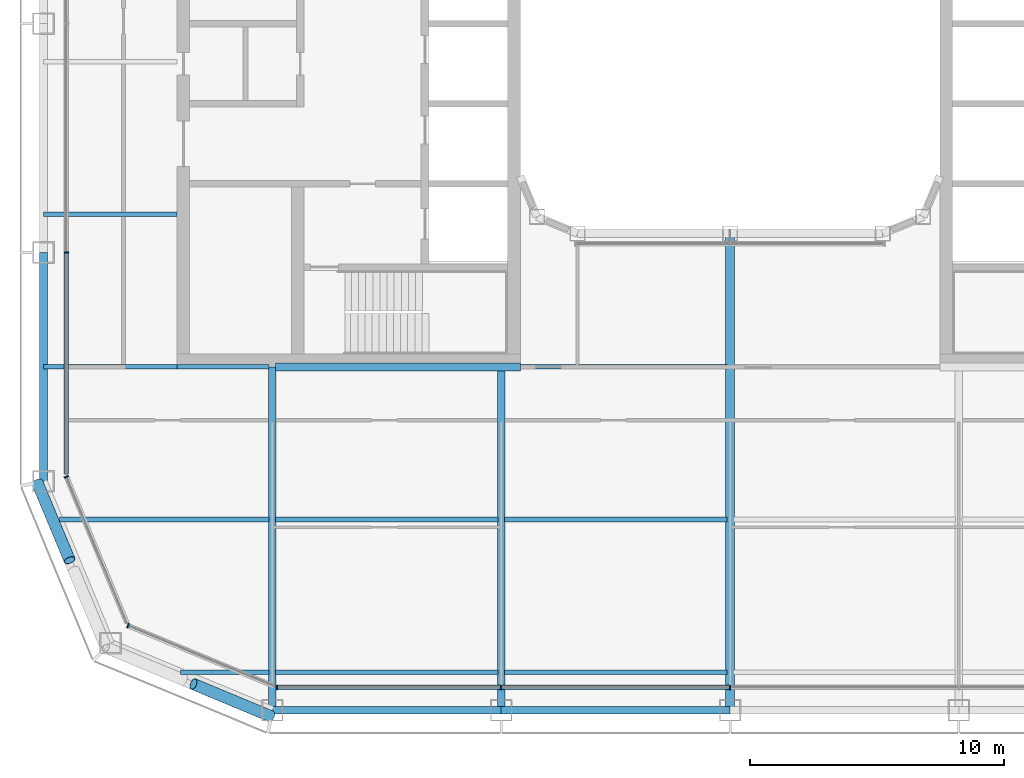
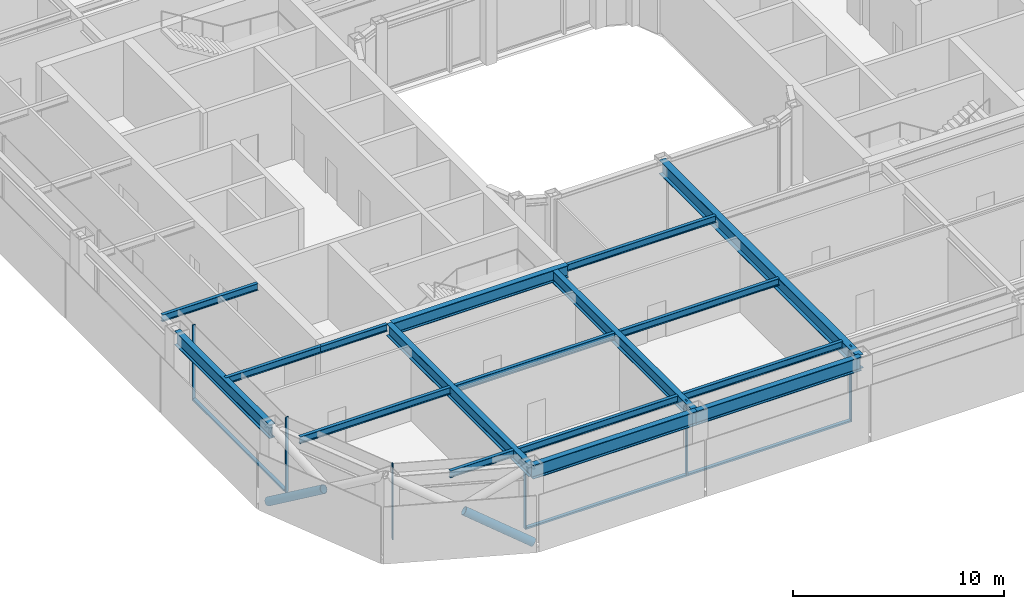
# One storey, part 2 of 19: 17 beams, 11 members, 4 elements without a shape of their own.
"""IFC4 building model written with IfcOpenShell, lengths in metres."""

from ifc_helpers import new_model, si_unit, direction, frame, origin, origin_2d, place, context, subcontext, project, spatial, rectangle, hollow_circle, i_section, extrude, material, layer, layer_set, material_profile, profile_set, type_object, element, aggregate, save


model = new_model("IFC4")

# Units and contexts
model_context = context("Model", 3, precision=1e-05, world=origin(), true_north=direction((0.0, 1.0)))
body_context = subcontext(model_context, "Body", "Model", "MODEL_VIEW")
ifc_project = project(units=[si_unit("LENGTHUNIT", "METRE"), si_unit("AREAUNIT", "SQUARE_METRE"), si_unit("VOLUMEUNIT", "CUBIC_METRE"), si_unit("PLANEANGLEUNIT", "RADIAN"), si_unit("MASSUNIT", "GRAM", prefix="KILO")], contexts=[model_context])

# Site, building, storey
site_placement = place(None, origin())
site = spatial("IfcSite", under=ifc_project, at=site_placement, CompositionType="ELEMENT")
building_placement = place(site_placement, origin())
building = spatial("IfcBuilding", under=site, at=building_placement, Name="Siwar Civic Tower", CompositionType="ELEMENT")
storey_placement = place(building_placement, frame((0.0, 0.0, 192.699951171875)))
storey = spatial("IfcBuildingStorey", under=building, at=storey_placement, Name="L41", CompositionType="ELEMENT", Elevation=192.699951171875)

# Curtain wall, members
ifc_material_1 = material(Name="Aluminium and glass", Category="aluminium")
ifc_layer_1 = layer(ifc_material_1, 0.179931640625)
ifc_layer_set_1 = layer_set([ifc_layer_1], Name="Aluminium and glass")
curtain_wall_type_1 = type_object("IfcCurtainWallType", Name="ENV-CW-C", PredefinedType="NOTDEFINED", material=ifc_layer_set_1)
curtain_wall_1_placement = place(storey_placement, origin())
curtain_wall_1 = element("IfcCurtainWall", 1, at=curtain_wall_1_placement, inside=storey, type_object=curtain_wall_type_1, Name="Curtain wall C S", PredefinedType="NOTDEFINED")
ifc_material_2 = material(Name="Aluminium 6063-T6", Category="aluminium")
ifc_material_profile_1 = material_profile(ifc_material_2, rectangle(XDim=0.179931640625, YDim=0.06005859375, at=origin_2d()), Name="AL 180x60")
ifc_profile_set_1 = profile_set([ifc_material_profile_1], Name="Aluminium 6063-T6")
member_type_1 = type_object("IfcMemberType", Name="ENV-MULLION-C", PredefinedType="MULLION", material=ifc_profile_set_1)
member_1_placement = place(storey_placement, frame((-17.821044921875, -26.10009765625, 0.0), z_axis=(0.0, 0.0, 1.0), x_axis=(0.0, 1.0, 0.0)))
member_1 = element("IfcMember", 2, at=member_1_placement, type_object=member_type_1, Name="Mullion C S 1", PredefinedType="MULLION", context=body_context, shape_type="SweptSolid", body=[
    extrude(rectangle(XDim=0.179931640625, YDim=0.06005859375, at=origin_2d()), origin(), (0.0, 0.0, 1.0), 4.35009765625),
])
member_2_placement = place(storey_placement, frame((-9.0, -26.10009765625, 0.0), z_axis=(0.0, 0.0, 1.0), x_axis=(0.0, 1.0, 0.0)))
member_2 = element("IfcMember", 3, at=member_2_placement, type_object=member_type_1, Name="Mullion C S 2", PredefinedType="MULLION", context=body_context, shape_type="SweptSolid", body=[
    extrude(rectangle(XDim=0.179931640625, YDim=0.06005859375, at=origin_2d()), origin(), (0.0, 0.0, 1.0), 4.35009765625),
])
member_3_placement = place(storey_placement, frame((0.0, -26.10009765625, 0.0), z_axis=(0.0, 0.0, 1.0), x_axis=(0.0, 1.0, 0.0)))
member_3 = element("IfcMember", 4, at=member_3_placement, type_object=member_type_1, Name="Mullion C S 3", PredefinedType="MULLION", context=body_context, shape_type="SweptSolid", body=[
    extrude(rectangle(XDim=0.179931640625, YDim=0.06005859375, at=origin_2d()), origin(), (0.0, 0.0, 1.0), 4.35009765625),
])

# Curtain wall, member
curtain_wall_2_placement = place(storey_placement, origin())
curtain_wall_2 = element("IfcCurtainWall", 5, at=curtain_wall_2_placement, inside=storey, type_object=curtain_wall_type_1, Name="Curtain wall C W", PredefinedType="NOTDEFINED")
member_4_placement = place(storey_placement, frame((-26.10009765625, -9.0, 0.0), z_axis=(0.0, 0.0, 1.0), x_axis=(1.0, 0.0, 0.0)))
member_4 = element("IfcMember", 6, at=member_4_placement, type_object=member_type_1, Name="Mullion C W 4", PredefinedType="MULLION", context=body_context, shape_type="SweptSolid", body=[
    extrude(rectangle(XDim=0.179931640625, YDim=0.06005859375, at=origin_2d()), origin(), (0.0, 0.0, 1.0), 4.35009765625),
])

ifc_material_3 = material(Name="Aluminium clad insulated panel", Category="aluminium")
ifc_layer_2 = layer(ifc_material_3, 0.179931640625)
ifc_layer_set_2 = layer_set([ifc_layer_2], Name="Aluminium clad insulated panel")
curtain_wall_type_2 = type_object("IfcCurtainWallType", Name="ENV-CW-CX", PredefinedType="NOTDEFINED", material=ifc_layer_set_2)
curtain_wall_3_placement = place(storey_placement, origin())
curtain_wall_3 = element("IfcCurtainWall", 7, at=curtain_wall_3_placement, inside=storey, type_object=curtain_wall_type_2, Name="Curtain wall C SW1", PredefinedType="NOTDEFINED")
member_5_placement = place(storey_placement, frame((-26.10009765625, -17.821044921875, 0.0), z_axis=(0.0, 0.0, 1.0), x_axis=(0.923879532511, 0.382683432365, 0.0)))
member_5 = element("IfcMember", 8, at=member_5_placement, type_object=member_type_1, Name="Mullion C SW1 1", PredefinedType="MULLION", context=body_context, shape_type="SweptSolid", body=[
    extrude(rectangle(XDim=0.179931640625, YDim=0.06005859375, at=origin_2d()), origin(), (0.0, 0.0, 1.0), 4.35009765625),
])
aggregate(curtain_wall_3, [member_5])

curtain_wall_4_placement = place(storey_placement, origin())
curtain_wall_4 = element("IfcCurtainWall", 9, at=curtain_wall_4_placement, inside=storey, type_object=curtain_wall_type_2, Name="Curtain wall C SW2", PredefinedType="NOTDEFINED")
member_6_placement = place(storey_placement, frame((-23.675048828125, -23.675048828125, 0.0), z_axis=(0.0, 0.0, 1.0), x_axis=(0.382683432365, 0.923879532511, 0.0)))
member_6 = element("IfcMember", 10, at=member_6_placement, type_object=member_type_1, Name="Mullion C SW2 1", PredefinedType="MULLION", context=body_context, shape_type="SweptSolid", body=[
    extrude(rectangle(XDim=0.179931640625, YDim=0.06005859375, at=origin_2d()), origin(), (0.0, 0.0, 1.0), 4.35009765625),
])
aggregate(curtain_wall_4, [member_6])

# Member
ifc_material_4 = material(Name="Aluminium 6063-T6", Category="aluminium")
ifc_material_profile_2 = material_profile(ifc_material_4, rectangle(XDim=0.179931640625, YDim=0.10009765625, at=origin_2d()), Name="AL 180x100")
ifc_profile_set_2 = profile_set([ifc_material_profile_2], Name="Aluminium 6063-T6")
member_type_2 = type_object("IfcMemberType", Name="ENV-TRANSOM-C", PredefinedType="USERDEFINED", material=ifc_profile_set_2)
member_7_placement = place(storey_placement, frame((-17.791015625, -26.10009765625, 0.050048828125), z_axis=(1.0, 0.0, 0.0), x_axis=(0.0, 1.0, 0.0)))
member_7 = element("IfcMember", 11, at=member_7_placement, type_object=member_type_2, Name="Transom C S 1", ObjectType="TRANSOM", PredefinedType="USERDEFINED", context=body_context, shape_type="SweptSolid", body=[
    extrude(rectangle(XDim=0.179931640625, YDim=0.10009765625, at=origin_2d()), origin(), (0.0, 0.0, 1.0), 8.760986328125),
])

member_8_placement = place(storey_placement, frame((-8.969970703125, -26.10009765625, 0.050048828125), z_axis=(1.0, 0.0, 0.0), x_axis=(0.0, 1.0, 0.0)))
member_8 = element("IfcMember", 12, at=member_8_placement, type_object=member_type_2, Name="Transom C S 2", ObjectType="TRANSOM", PredefinedType="USERDEFINED", context=body_context, shape_type="SweptSolid", body=[
    extrude(rectangle(XDim=0.179931640625, YDim=0.10009765625, at=origin_2d()), origin(), (0.0, 0.0, 1.0), 8.93994140625),
])

aggregate(curtain_wall_1, [member_1, member_2, member_3, member_7, member_8])

member_9_placement = place(storey_placement, frame((-26.10009765625, -9.030029296875, 0.050048828125), z_axis=(0.0, -1.0, 0.0), x_axis=(1.0, 0.0, 0.0)))
member_9 = element("IfcMember", 13, at=member_9_placement, type_object=member_type_2, Name="Transom C W 4", ObjectType="TRANSOM", PredefinedType="USERDEFINED", context=body_context, shape_type="SweptSolid", body=[
    extrude(rectangle(XDim=0.179931640625, YDim=0.10009765625, at=origin_2d()), origin(), (0.0, 0.0, 1.0), 8.68603515625),
])

aggregate(curtain_wall_2, [member_4, member_9])

# Members
ifc_material_5 = material(Name="Steel S355", Category="steel")
ifc_material_profile_3 = material_profile(ifc_material_5, hollow_circle(Radius=0.228515625, WallThickness=0.02001953125, at=origin_2d()), Name="CHS457x20")
ifc_profile_set_3 = profile_set([ifc_material_profile_3], Name="Steel S355")
member_type_3 = type_object("IfcMemberType", Name="STR-BR-CHS457x20", PredefinedType="BRACE", material=ifc_profile_set_3)
for number, where, z_axis, x_axis, name in (
    (14, (-18.048828125, -27.2451171875, 0.0), (-0.777546448489, 0.323884455881, 0.538999424564), (-0.38452107079, -0.92311621485, 0.0), "L41/brc/CSW1-1-0-2"),
    (15, (-27.2451171875, -18.048828125, 0.0), (0.323884455881, -0.777546448489, 0.538999424564), (0.92311621485, 0.38452107079, 0.0), "L41/brc/CSW1-1-0-4"),
):
    element("IfcMember", number, at=place(storey_placement, frame(where, z_axis=z_axis, x_axis=x_axis)), inside=storey, type_object=member_type_3, Name=name, PredefinedType="BRACE", context=body_context, shape_type="SweptSolid", body=[
        extrude(hollow_circle(Radius=0.228515625, WallThickness=0.02001953125, at=origin_2d()), origin(), (0.0, 0.0, 1.0), 3.927978515625),
    ])

# Beams
ifc_material_6 = material(Name="Steel S355", Category="steel")
ifc_material_profile_4 = material_profile(ifc_material_6, i_section(OverallWidth=0.179931640625, OverallDepth=0.39990234375, WebThickness=0.008544921875, FlangeThickness=0.013427734375, FilletRadius=0.02099609375, at=origin_2d()), Name="IPE400")
ifc_profile_set_4 = profile_set([ifc_material_profile_4], Name="Steel S355")
beam_type_1 = type_object("IfcBeamType", Name="STR-FB-IPE400", PredefinedType="JOIST", material=ifc_profile_set_4)
beam_1_placement = place(storey_placement, frame((-21.621337890625, -25.5, 4.150146484375), z_axis=(1.0, 0.0, 0.0), x_axis=(0.0, 1.0, 0.0)))
element("IfcBeam", 16, at=beam_1_placement, inside=storey, type_object=beam_type_1, Name="L41/bm/F001", PredefinedType="JOIST", context=body_context, shape_type="SweptSolid", body=[
    extrude(i_section(OverallWidth=0.179931640625, OverallDepth=0.39990234375, WebThickness=0.008544921875, FlangeThickness=0.013427734375, FilletRadius=0.02099609375, at=origin_2d()), origin(), (0.0, 0.0, 1.0), 3.491455078125),
])
for number, where, z_axis, x_axis, name in (
    (17, (-17.8701171875, -25.5, 4.150146484375), (1.0, 0.0, 0.0), (0.0, 1.0, 0.0), "L41/bm/F002"),
    (18, (-8.8701171875, -25.5, 4.150146484375), (1.0, 0.0, 0.0), (0.0, 1.0, 0.0), "L41/bm/F003"),
):
    element("IfcBeam", number, at=place(storey_placement, frame(where, z_axis=z_axis, x_axis=x_axis)), inside=storey, type_object=beam_type_1, Name=name, PredefinedType="JOIST", context=body_context, shape_type="SweptSolid", body=[
        extrude(i_section(OverallWidth=0.179931640625, OverallDepth=0.39990234375, WebThickness=0.008544921875, FlangeThickness=0.013427734375, FilletRadius=0.02099609375, at=origin_2d()), origin(), (0.0, 0.0, 1.0), 8.740234375),
    ])
beam_2_placement = place(storey_placement, frame((-26.378662109375, -19.5, 4.150146484375), z_axis=(1.0, 0.0, 0.0), x_axis=(0.0, 1.0, 0.0)))
element("IfcBeam", 19, at=beam_2_placement, inside=storey, type_object=beam_type_1, Name="L41/bm/F007", PredefinedType="JOIST", context=body_context, shape_type="SweptSolid", body=[
    extrude(i_section(OverallWidth=0.179931640625, OverallDepth=0.39990234375, WebThickness=0.008544921875, FlangeThickness=0.013427734375, FilletRadius=0.02099609375, at=origin_2d()), origin(), (0.0, 0.0, 1.0), 8.248779296875),
])
for number, where, z_axis, x_axis, name in (
    (20, (-17.8701171875, -19.5, 4.150146484375), (1.0, 0.0, 0.0), (0.0, 1.0, 0.0), "L41/bm/F008"),
    (21, (-8.8701171875, -19.5, 4.150146484375), (1.0, 0.0, 0.0), (0.0, 1.0, 0.0), "L41/bm/F009"),
):
    element("IfcBeam", number, at=place(storey_placement, frame(where, z_axis=z_axis, x_axis=x_axis)), inside=storey, type_object=beam_type_1, Name=name, PredefinedType="JOIST", context=body_context, shape_type="SweptSolid", body=[
        extrude(i_section(OverallWidth=0.179931640625, OverallDepth=0.39990234375, WebThickness=0.008544921875, FlangeThickness=0.013427734375, FilletRadius=0.02099609375, at=origin_2d()), origin(), (0.0, 0.0, 1.0), 8.740234375),
    ])
beam_3_placement = place(storey_placement, frame((-27.0, -13.5, 4.150146484375), z_axis=(1.0, 0.0, 0.0), x_axis=(0.0, 1.0, 0.0)))
element("IfcBeam", 22, at=beam_3_placement, inside=storey, type_object=beam_type_1, Name="L41/bm/F013", PredefinedType="JOIST", context=body_context, shape_type="SweptSolid", body=[
    extrude(i_section(OverallWidth=0.179931640625, OverallDepth=0.39990234375, WebThickness=0.008544921875, FlangeThickness=0.013427734375, FilletRadius=0.02099609375, at=origin_2d()), origin(), (0.0, 0.0, 1.0), 5.25),
])
beam_4_placement = place(storey_placement, frame((-21.75, -13.5, 4.150146484375), z_axis=(1.0, 0.0, 0.0), x_axis=(0.0, 1.0, 0.0)))
element("IfcBeam", 23, at=beam_4_placement, inside=storey, type_object=beam_type_1, Name="L41/bm/F014", PredefinedType="JOIST", context=body_context, shape_type="SweptSolid", body=[
    extrude(i_section(OverallWidth=0.179931640625, OverallDepth=0.39990234375, WebThickness=0.008544921875, FlangeThickness=0.013427734375, FilletRadius=0.02099609375, at=origin_2d()), origin(), (0.0, 0.0, 1.0), 3.6201171875),
])
beam_5_placement = place(storey_placement, frame((-8.25, -13.5, 4.150146484375), z_axis=(1.0, 0.0, 0.0), x_axis=(0.0, 1.0, 0.0)))
element("IfcBeam", 24, at=beam_5_placement, inside=storey, type_object=beam_type_1, Name="L41/bm/F016", PredefinedType="JOIST", context=body_context, shape_type="SweptSolid", body=[
    extrude(i_section(OverallWidth=0.179931640625, OverallDepth=0.39990234375, WebThickness=0.008544921875, FlangeThickness=0.013427734375, FilletRadius=0.02099609375, at=origin_2d()), origin(), (0.0, 0.0, 1.0), 8.1201171875),
])
beam_6_placement = place(storey_placement, frame((-27.0, -7.5, 4.150146484375), z_axis=(1.0, 0.0, 0.0), x_axis=(0.0, 1.0, 0.0)))
element("IfcBeam", 25, at=beam_6_placement, inside=storey, type_object=beam_type_1, Name="L41/bm/F021", PredefinedType="JOIST", context=body_context, shape_type="SweptSolid", body=[
    extrude(i_section(OverallWidth=0.179931640625, OverallDepth=0.39990234375, WebThickness=0.008544921875, FlangeThickness=0.013427734375, FilletRadius=0.02099609375, at=origin_2d()), origin(), (0.0, 0.0, 1.0), 5.25),
])
ifc_material_7 = material(Name="Steel S355", Category="steel")
ifc_material_profile_5 = material_profile(ifc_material_7, i_section(OverallWidth=0.300048828125, OverallDepth=0.699951171875, WebThickness=0.01708984375, FlangeThickness=0.031982421875, FilletRadius=0.027099609375, at=origin_2d()), Name="HEB700")
ifc_profile_set_5 = profile_set([ifc_material_profile_5], Name="Steel S355")
beam_type_2 = type_object("IfcBeamType", Name="STR-PG-HEB700", PredefinedType="BEAM", material=ifc_profile_set_5)
for number, where, z_axis, x_axis, name in (
    (26, (-18.0, -27.0, 4.0), (0.0, 1.0, 0.0), (-1.0, 0.0, 0.0), "L41/bm/G01"),
    (27, (-9.0, -27.0, 4.0), (0.0, 1.0, 0.0), (-1.0, 0.0, 0.0), "L41/bm/G03"),
):
    element("IfcBeam", number, at=place(storey_placement, frame(where, z_axis=z_axis, x_axis=x_axis)), inside=storey, type_object=beam_type_2, Name=name, PredefinedType="BEAM", context=body_context, shape_type="SweptSolid", body=[
        extrude(i_section(OverallWidth=0.300048828125, OverallDepth=0.699951171875, WebThickness=0.01708984375, FlangeThickness=0.031982421875, FilletRadius=0.027099609375, at=origin_2d()), origin(), (0.0, 0.0, 1.0), 13.5),
    ])
beam_7_placement = place(storey_placement, frame((-17.8701171875, -13.5, 4.0), z_axis=(1.0, 0.0, 0.0), x_axis=(0.0, 1.0, 0.0)))
element("IfcBeam", 28, at=beam_7_placement, inside=storey, type_object=beam_type_2, Name="L41/bm/F015", PredefinedType="BEAM", context=body_context, shape_type="SweptSolid", body=[
    extrude(i_section(OverallWidth=0.300048828125, OverallDepth=0.699951171875, WebThickness=0.01708984375, FlangeThickness=0.031982421875, FilletRadius=0.027099609375, at=origin_2d()), origin(), (0.0, 0.0, 1.0), 9.6201171875),
])
ifc_material_8 = material(Name="Steel S355", Category="steel")
ifc_material_profile_6 = material_profile(ifc_material_8, i_section(OverallWidth=0.360107421875, OverallDepth=0.800048828125, WebThickness=0.013916015625, FlangeThickness=0.031982421875, at=origin_2d()), Name="PG800x360x14x32")
ifc_profile_set_6 = profile_set([ifc_material_profile_6], Name="Steel S355")
beam_type_3 = type_object("IfcBeamType", Name="STR-PG-PG800x360x14x32", PredefinedType="BEAM", material=ifc_profile_set_6)
beam_8_placement = place(storey_placement, frame((0.0, -27.0, 3.949951171875), z_axis=(0.0, 1.0, 0.0), x_axis=(-1.0, 0.0, 0.0)))
element("IfcBeam", 29, at=beam_8_placement, inside=storey, type_object=beam_type_3, Name="L41/bm/G05", PredefinedType="BEAM", context=body_context, shape_type="SweptSolid", body=[
    extrude(i_section(OverallWidth=0.360107421875, OverallDepth=0.800048828125, WebThickness=0.013916015625, FlangeThickness=0.031982421875, at=origin_2d()), origin(), (0.0, 0.0, 1.0), 18.75),
])
ifc_material_9 = material(Name="Steel S355", Category="steel")
ifc_material_profile_7 = material_profile(ifc_material_9, i_section(OverallWidth=0.300048828125, OverallDepth=0.800048828125, WebThickness=0.017578125, FlangeThickness=0.032958984375, FilletRadius=0.030029296875, at=origin_2d()), Name="HEB800")
ifc_profile_set_7 = profile_set([ifc_material_profile_7], Name="Steel S355")
beam_type_4 = type_object("IfcBeamType", Name="STR-SB-HEB800", PredefinedType="BEAM", material=ifc_profile_set_7)
for number, where, z_axis, x_axis, name in (
    (30, (-18.0, -27.0, 3.949951171875), (1.0, 0.0, 0.0), (0.0, 1.0, 0.0), "L41/bm/SS-0"),
    (31, (-9.0, -27.0, 3.949951171875), (1.0, 0.0, 0.0), (0.0, 1.0, 0.0), "L41/bm/SS-1"),
    (32, (-27.0, -9.0, 3.949951171875), (0.0, -1.0, 0.0), (1.0, 0.0, 0.0), "L41/bm/SW-3"),
):
    element("IfcBeam", number, at=place(storey_placement, frame(where, z_axis=z_axis, x_axis=x_axis)), inside=storey, type_object=beam_type_4, Name=name, PredefinedType="BEAM", context=body_context, shape_type="SweptSolid", body=[
        extrude(i_section(OverallWidth=0.300048828125, OverallDepth=0.800048828125, WebThickness=0.017578125, FlangeThickness=0.032958984375, FilletRadius=0.030029296875, at=origin_2d()), origin(), (0.0, 0.0, 1.0), 9.0),
    ])

save(model, "model.ifc")
